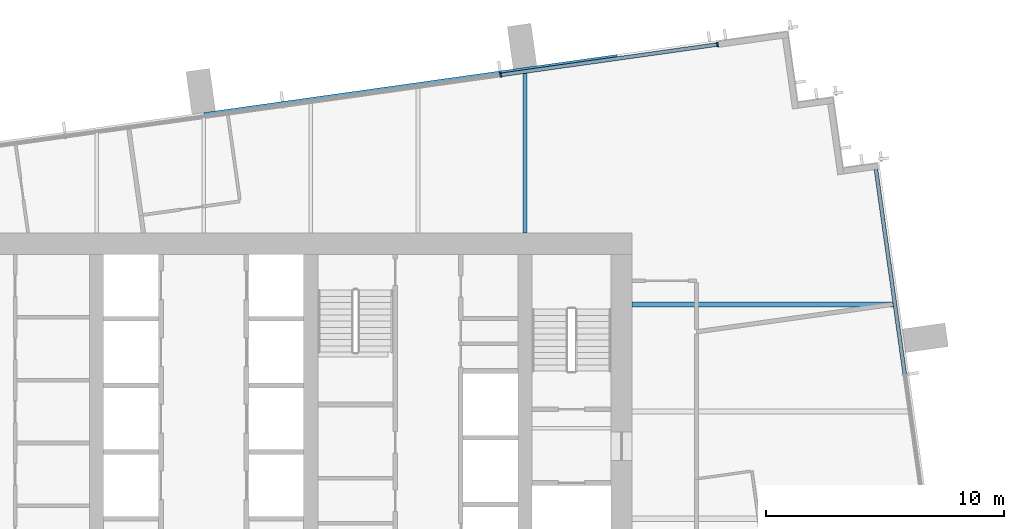
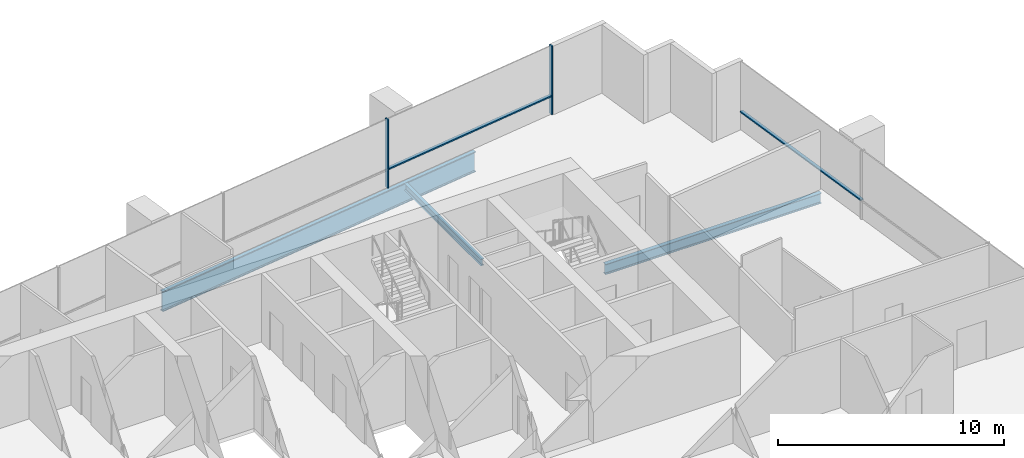
# One storey, part 7 of 14: 4 members, 3 beams, 2 elements without a shape of their own.
"""IFC4 building model written with IfcOpenShell, lengths in metres."""

from ifc_helpers import new_model, si_unit, direction, frame, origin, origin_2d, place, context, subcontext, project, spatial, rectangle, i_section, extrude, material, layer, layer_set, material_profile, profile_set, type_object, element, aggregate, save


model = new_model("IFC4")

# Units and contexts
model_context = context("Model", 3, precision=1e-05, world=origin(), true_north=direction((0.0, 1.0)))
body_context = subcontext(model_context, "Body", "Model", "MODEL_VIEW")
ifc_project = project(units=[si_unit("LENGTHUNIT", "METRE"), si_unit("AREAUNIT", "SQUARE_METRE"), si_unit("VOLUMEUNIT", "CUBIC_METRE"), si_unit("PLANEANGLEUNIT", "RADIAN"), si_unit("MASSUNIT", "GRAM", prefix="KILO")], contexts=[model_context])

# Site, building, storey
site_placement = place(None, origin())
site = spatial("IfcSite", under=ifc_project, at=site_placement, CompositionType="ELEMENT")
building_placement = place(site_placement, origin())
building = spatial("IfcBuilding", under=site, at=building_placement, Name="Rattan Terrace Tower", CompositionType="ELEMENT")
storey_placement = place(building_placement, frame((0.0, 0.0, 229.10009765625)))
storey = spatial("IfcBuildingStorey", under=building, at=storey_placement, Name="L52", CompositionType="ELEMENT", Elevation=229.10009765625)

# Beams
ifc_material_1 = material(Name="Steel S460", Category="steel")
ifc_material_profile_1 = material_profile(ifc_material_1, i_section(OverallWidth=0.179931640625, OverallDepth=1.10009765625, WebThickness=0.01611328125, FlangeThickness=0.050048828125, at=origin_2d()), Name="PG 1100x180-16-50")
ifc_profile_set_1 = profile_set([ifc_material_profile_1], Name="Steel S460")
beam_type_1 = type_object("IfcBeamType", Name="Frame edge girder PG 1100x180-16-50", PredefinedType="SPANDREL", material=ifc_profile_set_1)
beam_1_placement = place(storey_placement, frame((17.3740234375, 14.909912109375, -0.75), z_axis=(-0.990275742813, -0.139118486179, 0.0), x_axis=(0.139118486179, -0.990275742813, 0.0)))
element("IfcBeam", 1, at=beam_1_placement, inside=storey, type_object=beam_type_1, Name="gdr-L52-006", PredefinedType="SPANDREL", context=body_context, shape_type="SweptSolid", body=[
    extrude(i_section(OverallWidth=0.179931640625, OverallDepth=1.10009765625, WebThickness=0.01611328125, FlangeThickness=0.050048828125, at=origin_2d()), origin(), (0.0, 0.0, 1.0), 17.531494140625),
])
ifc_material_2 = material(Name="Steel S355", Category="steel")
ifc_material_profile_2 = material_profile(ifc_material_2, i_section(OverallWidth=0.169921875, OverallDepth=0.360107421875, WebThickness=0.008056640625, FlangeThickness=0.0126953125, FilletRadius=0.01806640625, at=origin_2d()), Name="IPE 360")
ifc_profile_set_2 = profile_set([ifc_material_profile_2], Name="Steel S355")
beam_type_2 = type_object("IfcBeamType", Name="Frame floor beam IPE 360", PredefinedType="JOIST", material=ifc_profile_set_2)
beam_2_placement = place(storey_placement, frame((13.5, 7.5, -0.380126953125), z_axis=(0.0, 1.0, 0.0), x_axis=(-1.0, 0.0, 0.0)))
element("IfcBeam", 2, at=beam_2_placement, inside=storey, type_object=beam_type_2, Name="bm-L52-020", PredefinedType="JOIST", context=body_context, shape_type="SweptSolid", body=[
    extrude(i_section(OverallWidth=0.169921875, OverallDepth=0.360107421875, WebThickness=0.008056640625, FlangeThickness=0.0126953125, FilletRadius=0.01806640625, at=origin_2d()), origin(), (0.0, 0.0, 1.0), 6.762939453125),
])
ifc_material_3 = material(Name="Steel S355", Category="steel")
ifc_material_profile_3 = material_profile(ifc_material_3, i_section(OverallWidth=0.2099609375, OverallDepth=0.550048828125, WebThickness=0.010986328125, FlangeThickness=0.01708984375, FilletRadius=0.02392578125, at=origin_2d()), Name="IPE 550")
ifc_profile_set_3 = profile_set([ifc_material_profile_3], Name="Steel S355")
beam_type_3 = type_object("IfcBeamType", Name="Frame floor beam IPE 550", PredefinedType="JOIST", material=ifc_profile_set_3)
beam_3_placement = place(storey_placement, frame((18.0, 4.5, -0.47509765625), z_axis=(1.0, 0.0, 0.0), x_axis=(0.0, 1.0, 0.0)))
element("IfcBeam", 3, at=beam_3_placement, inside=storey, type_object=beam_type_3, Name="bm-L52-013", PredefinedType="JOIST", context=body_context, shape_type="SweptSolid", body=[
    extrude(i_section(OverallWidth=0.2099609375, OverallDepth=0.550048828125, WebThickness=0.010986328125, FlangeThickness=0.01708984375, FilletRadius=0.02392578125, at=origin_2d()), origin(), (0.0, 0.0, 1.0), 11.013916015625),
])

# Curtain wall, members
ifc_material_4 = material(Name="Aluminium and laminated glass", Category="aluminium")
ifc_layer = layer(ifc_material_4, 0.199951171875)
ifc_layer_set = layer_set([ifc_layer], Name="High-Zone Unitised Curtain Wall")
curtain_wall_type = type_object("IfcCurtainWallType", Name="High-Zone Unitised Curtain Wall", PredefinedType="NOTDEFINED", material=ifc_layer_set)
curtain_wall_1_placement = place(storey_placement, origin())
curtain_wall_1 = element("IfcCurtainWall", 4, at=curtain_wall_1_placement, inside=storey, type_object=curtain_wall_type, Name="High-zone curtain wall L52-2", PredefinedType="NOTDEFINED")
ifc_material_5 = material(Name="Aluminium", Category="aluminium")
ifc_material_profile_4 = material_profile(ifc_material_5, rectangle(XDim=0.070068359375, YDim=0.199951171875, at=origin_2d()), Name="Aluminium 70x200")
ifc_profile_set_4 = profile_set([ifc_material_profile_4], Name="Aluminium")
member_type_1 = type_object("IfcMemberType", Name="High-Zone CW Mullion 70x200", PredefinedType="MULLION", material=ifc_profile_set_4)
member_1_placement = place(storey_placement, frame((21.580078125, 15.4208984375, 0.0), z_axis=(0.0, 0.0, 1.0), x_axis=(-0.990267457022, -0.139177453499, 0.0)))
member_1 = element("IfcMember", 5, at=member_1_placement, type_object=member_type_1, Name="Mullion cwl-L52-002.1", PredefinedType="MULLION", context=body_context, shape_type="SweptSolid", body=[
    extrude(rectangle(XDim=0.070068359375, YDim=0.199951171875, at=origin_2d()), origin(), (0.0, 0.0, 1.0), 3.699951171875),
])
member_2_placement = place(storey_placement, frame((12.473388671875, 14.140869140625, 0.0), z_axis=(0.0, 0.0, 1.0), x_axis=(-0.990267457022, -0.139177453499, 0.0)))
member_2 = element("IfcMember", 6, at=member_2_placement, type_object=member_type_1, Name="Mullion cwl-L52-002.2", PredefinedType="MULLION", context=body_context, shape_type="SweptSolid", body=[
    extrude(rectangle(XDim=0.070068359375, YDim=0.199951171875, at=origin_2d()), origin(), (0.0, 0.0, 1.0), 3.699951171875),
])

# Curtain wall, member
curtain_wall_2_placement = place(storey_placement, origin())
curtain_wall_2 = element("IfcCurtainWall", 7, at=curtain_wall_2_placement, inside=storey, type_object=curtain_wall_type, Name="High-zone curtain wall L52-1", PredefinedType="NOTDEFINED")
ifc_material_6 = material(Name="Aluminium", Category="aluminium")
ifc_material_profile_5 = material_profile(ifc_material_6, rectangle(XDim=0.159912109375, YDim=0.070068359375, at=origin_2d()), Name="Aluminium 160x70")
ifc_profile_set_5 = profile_set([ifc_material_profile_5], Name="Aluminium")
member_type_2 = type_object("IfcMemberType", Name="High-Zone CW Transom 160x70", PredefinedType="USERDEFINED", material=ifc_profile_set_5)
member_3_placement = place(storey_placement, frame((29.447509765625, 1.585693359375, 1.0), z_axis=(-0.139193563319, 0.990265192729, 0.0), x_axis=(-0.990265192729, -0.139193563319, 0.0)))
member_3 = element("IfcMember", 8, at=member_3_placement, type_object=member_type_2, Name="Transom cwl-L52-001.3", ObjectType="TRANSOM", PredefinedType="USERDEFINED", context=body_context, shape_type="SweptSolid", body=[
    extrude(rectangle(XDim=0.159912109375, YDim=0.070068359375, at=origin_2d()), origin(), (0.0, 0.0, 1.0), 8.669921875),
])
aggregate(curtain_wall_2, [member_3])

# Member
member_4_placement = place(storey_placement, frame((21.54541015625, 15.416015625, 1.0), z_axis=(-0.990265856778, -0.139188838988, 0.0), x_axis=(0.139188838988, -0.990265856778, 0.0)))
member_4 = element("IfcMember", 9, at=member_4_placement, type_object=member_type_2, Name="Transom cwl-L52-002.1", ObjectType="TRANSOM", PredefinedType="USERDEFINED", context=body_context, shape_type="SweptSolid", body=[
    extrude(rectangle(XDim=0.159912109375, YDim=0.070068359375, at=origin_2d()), origin(), (0.0, 0.0, 1.0), 9.126220703125),
])

aggregate(curtain_wall_1, [member_1, member_2, member_4])

save(model, "model.ifc")
